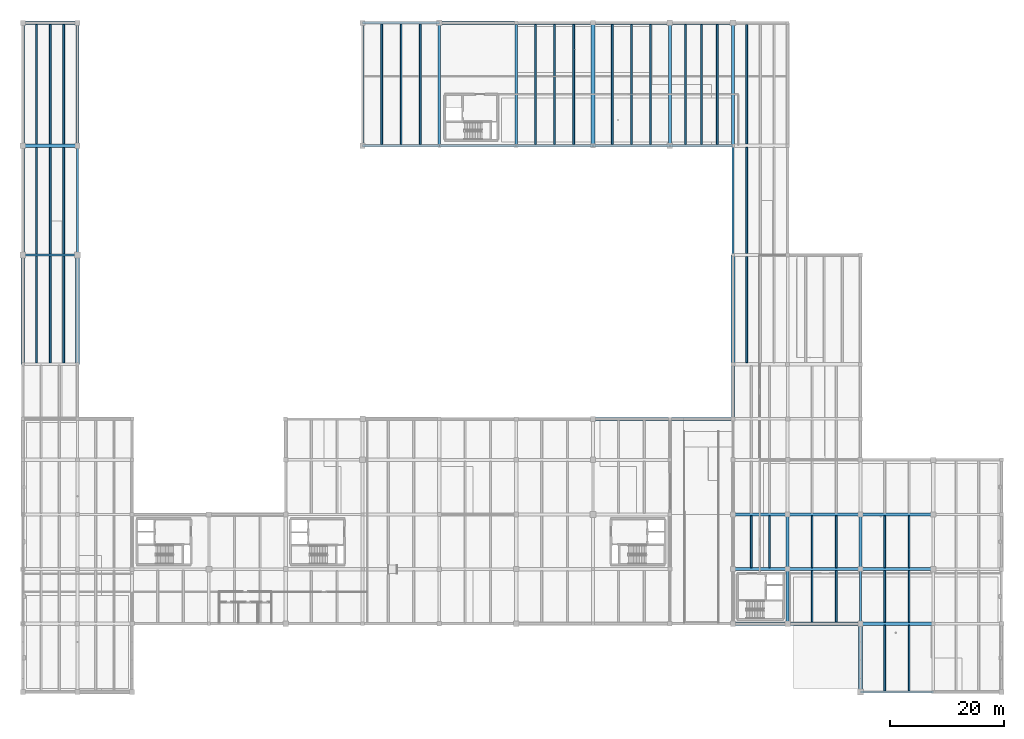
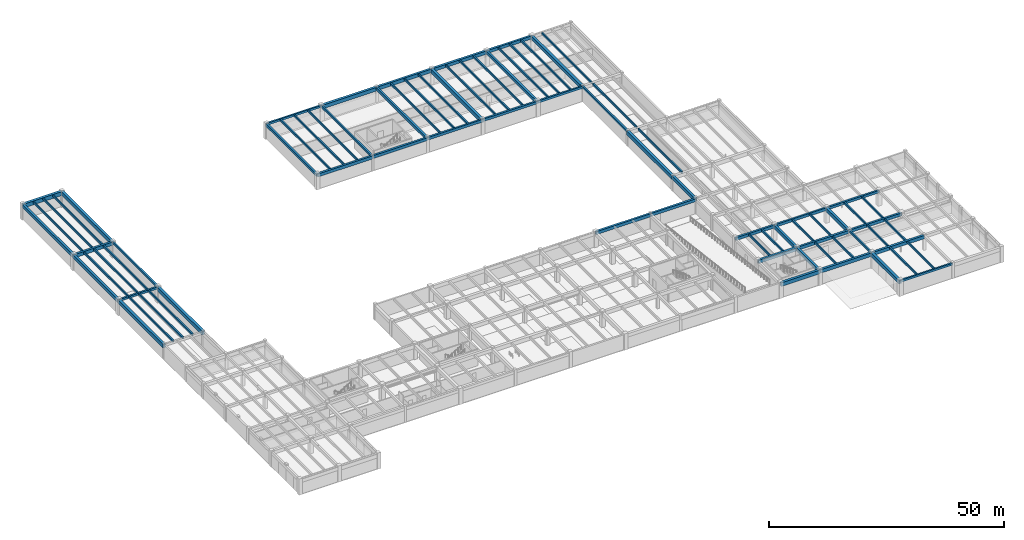
# One storey, part 5 of 28: 81 beams.
"""IFC4 building model written with IfcOpenShell, lengths in metres."""

from ifc_helpers import new_model, si_unit, direction, frame, origin, origin_2d, place, context, subcontext, project, spatial, rectangle, extrude, material, material_profile, profile_set, type_object, element, save


model = new_model("IFC4")

# Units and contexts
model_context = context("Model", 3, precision=1e-05, world=origin(), true_north=direction((0.0, 1.0)))
body_context = subcontext(model_context, "Body", "Model", "MODEL_VIEW")
ifc_project = project(units=[si_unit("LENGTHUNIT", "METRE"), si_unit("AREAUNIT", "SQUARE_METRE"), si_unit("VOLUMEUNIT", "CUBIC_METRE"), si_unit("PLANEANGLEUNIT", "RADIAN"), si_unit("MASSUNIT", "GRAM", prefix="KILO")], contexts=[model_context])

# Site, building, storey
site_placement = place(None, origin())
site = spatial("IfcSite", under=ifc_project, at=site_placement, CompositionType="ELEMENT")
building_placement = place(site_placement, origin())
building = spatial("IfcBuilding", under=site, at=building_placement, Name="Fikremerkos Civic Library", CompositionType="ELEMENT")
storey_placement = place(building_placement, frame((0.0, 0.0, -4.199951171875)))
storey = spatial("IfcBuildingStorey", under=building, at=storey_placement, Name="B01", CompositionType="ELEMENT", Elevation=-4.199951171875)

# Beams
ifc_material_1 = material(Name="Concrete C40/50", Category="concrete")
ifc_material_profile_1 = material_profile(ifc_material_1, rectangle(XDim=0.300048828125, YDim=0.52001953125, at=origin_2d()), Name="RC 300x520")
ifc_profile_set_1 = profile_set([ifc_material_profile_1], Name="Concrete C40/50")
beam_type_1 = type_object("IfcBeamType", Name="Floor joist JS-03 RC 300x520", PredefinedType="JOIST", material=ifc_profile_set_1)
for number, where, z_axis, x_axis, name in (
    (1, (2.39990234375, 57.800048828125, 3.659912109375), (0.0, 1.0, 0.0), (-1.0, 0.0, 0.0), "Floor joist JS-03 B01 #150"),
    (2, (4.800048828125, 57.800048828125, 3.659912109375), (0.0, 1.0, 0.0), (-1.0, 0.0, 0.0), "Floor joist JS-03 B01 #151"),
    (3, (7.199951171875, 57.800048828125, 3.659912109375), (0.0, 1.0, 0.0), (-1.0, 0.0, 0.0), "Floor joist JS-03 B01 #152"),
):
    element("IfcBeam", number, at=place(storey_placement, frame(where, z_axis=z_axis, x_axis=x_axis)), inside=storey, type_object=beam_type_1, Name=name, PredefinedType="JOIST", context=body_context, shape_type="SweptSolid", body=[
        extrude(rectangle(XDim=0.300048828125, YDim=0.52001953125, at=origin_2d()), origin(), (0.0, 0.0, 1.0), 18.800048828125),
    ])
for number, where, z_axis, x_axis, name in (
    (4, (2.39990234375, 77.0, 3.659912109375), (0.0, 1.0, 0.0), (-1.0, 0.0, 0.0), "Floor joist JS-03 B01 #153"),
    (5, (4.800048828125, 77.0, 3.659912109375), (0.0, 1.0, 0.0), (-1.0, 0.0, 0.0), "Floor joist JS-03 B01 #154"),
    (6, (7.199951171875, 77.0, 3.659912109375), (0.0, 1.0, 0.0), (-1.0, 0.0, 0.0), "Floor joist JS-03 B01 #155"),
):
    element("IfcBeam", number, at=place(storey_placement, frame(where, z_axis=z_axis, x_axis=x_axis)), inside=storey, type_object=beam_type_1, Name=name, PredefinedType="JOIST", context=body_context, shape_type="SweptSolid", body=[
        extrude(rectangle(XDim=0.300048828125, YDim=0.52001953125, at=origin_2d()), origin(), (0.0, 0.0, 1.0), 18.72509765625),
    ])
for number, where, z_axis, x_axis, name in (
    (7, (2.39990234375, 96.27490234375, 3.659912109375), (0.0, 1.0, 0.0), (-1.0, 0.0, 0.0), "Floor joist JS-03 B01 #156"),
    (8, (4.800048828125, 96.27490234375, 3.659912109375), (0.0, 1.0, 0.0), (-1.0, 0.0, 0.0), "Floor joist JS-03 B01 #157"),
    (9, (7.199951171875, 96.27490234375, 3.659912109375), (0.0, 1.0, 0.0), (-1.0, 0.0, 0.0), "Floor joist JS-03 B01 #158"),
):
    element("IfcBeam", number, at=place(storey_placement, frame(where, z_axis=z_axis, x_axis=x_axis)), inside=storey, type_object=beam_type_1, Name=name, PredefinedType="JOIST", context=body_context, shape_type="SweptSolid", body=[
        extrude(rectangle(XDim=0.300048828125, YDim=0.52001953125, at=origin_2d()), origin(), (0.0, 0.0, 1.0), 21.0),
    ])
for number, where, z_axis, x_axis, name in (
    (10, (63.074951171875, 96.25, 3.659912109375), (0.0, 1.0, 0.0), (-1.0, 0.0, 0.0), "Floor joist JS-03 B01 #189"),
    (11, (66.449951171875, 96.25, 3.659912109375), (0.0, 1.0, 0.0), (-1.0, 0.0, 0.0), "Floor joist JS-03 B01 #190"),
    (12, (69.824951171875, 96.25, 3.659912109375), (0.0, 1.0, 0.0), (-1.0, 0.0, 0.0), "Floor joist JS-03 B01 #191"),
):
    element("IfcBeam", number, at=place(storey_placement, frame(where, z_axis=z_axis, x_axis=x_axis)), inside=storey, type_object=beam_type_1, Name=name, PredefinedType="JOIST", context=body_context, shape_type="SweptSolid", body=[
        extrude(rectangle(XDim=0.300048828125, YDim=0.52001953125, at=origin_2d()), origin(), (0.0, 0.0, 1.0), 21.14990234375),
    ])
for number, where, z_axis, x_axis, name in (
    (13, (90.074951171875, 96.22509765625, 3.659912109375), (0.0, 1.0, 0.0), (-1.0, 0.0, 0.0), "Floor joist JS-03 B01 #208"),
    (14, (93.449951171875, 96.22509765625, 3.659912109375), (0.0, 1.0, 0.0), (-1.0, 0.0, 0.0), "Floor joist JS-03 B01 #209"),
    (15, (96.824951171875, 96.22509765625, 3.659912109375), (0.0, 1.0, 0.0), (-1.0, 0.0, 0.0), "Floor joist JS-03 B01 #210"),
    (16, (103.574951171875, 96.22509765625, 3.659912109375), (0.0, 1.0, 0.0), (-1.0, 0.0, 0.0), "Floor joist JS-03 B01 #217"),
    (17, (106.949951171875, 96.22509765625, 3.659912109375), (0.0, 1.0, 0.0), (-1.0, 0.0, 0.0), "Floor joist JS-03 B01 #218"),
    (18, (110.324951171875, 96.22509765625, 3.659912109375), (0.0, 1.0, 0.0), (-1.0, 0.0, 0.0), "Floor joist JS-03 B01 #219"),
):
    element("IfcBeam", number, at=place(storey_placement, frame(where, z_axis=z_axis, x_axis=x_axis)), inside=storey, type_object=beam_type_1, Name=name, PredefinedType="JOIST", context=body_context, shape_type="SweptSolid", body=[
        extrude(rectangle(XDim=0.300048828125, YDim=0.52001953125, at=origin_2d()), origin(), (0.0, 0.0, 1.0), 21.099853515625),
    ])
for number, where, z_axis, x_axis, name in (
    (19, (116.47509765625, 96.199951171875, 3.659912109375), (0.0, 1.0, 0.0), (-1.0, 0.0, 0.0), "Floor joist JS-03 B01 #220"),
    (20, (119.25, 96.199951171875, 3.659912109375), (0.0, 1.0, 0.0), (-1.0, 0.0, 0.0), "Floor joist JS-03 B01 #221"),
    (21, (122.02490234375, 96.199951171875, 3.659912109375), (0.0, 1.0, 0.0), (-1.0, 0.0, 0.0), "Floor joist JS-03 B01 #222"),
):
    element("IfcBeam", number, at=place(storey_placement, frame(where, z_axis=z_axis, x_axis=x_axis)), inside=storey, type_object=beam_type_1, Name=name, PredefinedType="JOIST", context=body_context, shape_type="SweptSolid", body=[
        extrude(rectangle(XDim=0.300048828125, YDim=0.52001953125, at=origin_2d()), origin(), (0.0, 0.0, 1.0), 21.150146484375),
    ])
for number, where, z_axis, x_axis, name in (
    (22, (128.0, 21.875, 3.619873046875), (0.0, 1.0, 0.0), (-1.0, 0.0, 0.0), "Floor joist JS-03 B01 #223"),
    (23, (131.199951171875, 21.875, 3.619873046875), (0.0, 1.0, 0.0), (-1.0, 0.0, 0.0), "Floor joist JS-03 B01 #224"),
):
    element("IfcBeam", number, at=place(storey_placement, frame(where, z_axis=z_axis, x_axis=x_axis)), inside=storey, type_object=beam_type_1, Name=name, PredefinedType="JOIST", context=body_context, shape_type="SweptSolid", body=[
        extrude(rectangle(XDim=0.300048828125, YDim=0.52001953125, at=origin_2d()), origin(), (0.0, 0.0, 1.0), 9.074951171875),
    ])
beam_1_placement = place(storey_placement, frame((127.199951171875, 57.89990234375, 3.659912109375), z_axis=(0.0, 1.0, 0.0), x_axis=(-1.0, 0.0, 0.0)))
element("IfcBeam", 24, at=beam_1_placement, inside=storey, type_object=beam_type_1, Name="Floor joist JS-03 B01 #231", PredefinedType="JOIST", context=body_context, shape_type="SweptSolid", body=[
    extrude(rectangle(XDim=0.300048828125, YDim=0.52001953125, at=origin_2d()), origin(), (0.0, 0.0, 1.0), 18.60009765625),
])
beam_2_placement = place(storey_placement, frame((127.199951171875, 77.10009765625, 3.679931640625), z_axis=(0.0, 1.0, 0.0), x_axis=(-1.0, 0.0, 0.0)))
element("IfcBeam", 25, at=beam_2_placement, inside=storey, type_object=beam_type_1, Name="Floor joist JS-03 B01 #234", PredefinedType="JOIST", context=body_context, shape_type="SweptSolid", body=[
    extrude(rectangle(XDim=0.300048828125, YDim=0.52001953125, at=origin_2d()), origin(), (0.0, 0.0, 1.0), 18.599853515625),
])
beam_3_placement = place(storey_placement, frame((127.199951171875, 96.300048828125, 3.659912109375), z_axis=(0.0, 1.0, 0.0), x_axis=(-1.0, 0.0, 0.0)))
element("IfcBeam", 26, at=beam_3_placement, inside=storey, type_object=beam_type_1, Name="Floor joist JS-03 B01 #237", PredefinedType="JOIST", context=body_context, shape_type="SweptSolid", body=[
    extrude(rectangle(XDim=0.300048828125, YDim=0.52001953125, at=origin_2d()), origin(), (0.0, 0.0, 1.0), 21.050048828125),
])
for number, where, z_axis, x_axis, name in (
    (27, (138.666748046875, 12.27490234375, 3.619873046875), (0.0, 1.0, 0.0), (-1.0, 0.0, 0.0), "Floor joist JS-03 B01 #240"),
    (28, (142.933349609375, 12.27490234375, 3.619873046875), (0.0, 1.0, 0.0), (-1.0, 0.0, 0.0), "Floor joist JS-03 B01 #241"),
):
    element("IfcBeam", number, at=place(storey_placement, frame(where, z_axis=z_axis, x_axis=x_axis)), inside=storey, type_object=beam_type_1, Name=name, PredefinedType="JOIST", context=body_context, shape_type="SweptSolid", body=[
        extrude(rectangle(XDim=0.300048828125, YDim=0.52001953125, at=origin_2d()), origin(), (0.0, 0.0, 1.0), 9.0751953125),
    ])
for number, where, z_axis, x_axis, name in (
    (29, (138.666748046875, 21.85009765625, 3.619873046875), (0.0, 1.0, 0.0), (-1.0, 0.0, 0.0), "Floor joist JS-03 B01 #242"),
    (30, (142.933349609375, 21.85009765625, 3.619873046875), (0.0, 1.0, 0.0), (-1.0, 0.0, 0.0), "Floor joist JS-03 B01 #243"),
):
    element("IfcBeam", number, at=place(storey_placement, frame(where, z_axis=z_axis, x_axis=x_axis)), inside=storey, type_object=beam_type_1, Name=name, PredefinedType="JOIST", context=body_context, shape_type="SweptSolid", body=[
        extrude(rectangle(XDim=0.300048828125, YDim=0.52001953125, at=origin_2d()), origin(), (0.0, 0.0, 1.0), 9.125),
    ])
for number, where, z_axis, x_axis, name in (
    (31, (151.466796875, 0.199951171875, 3.659912109375), (0.0, 1.0, 0.0), (-1.0, 0.0, 0.0), "Floor joist JS-03 B01 #253"),
    (32, (155.7333984375, 0.199951171875, 3.659912109375), (0.0, 1.0, 0.0), (-1.0, 0.0, 0.0), "Floor joist JS-03 B01 #254"),
):
    element("IfcBeam", number, at=place(storey_placement, frame(where, z_axis=z_axis, x_axis=x_axis)), inside=storey, type_object=beam_type_1, Name=name, PredefinedType="JOIST", context=body_context, shape_type="SweptSolid", body=[
        extrude(rectangle(XDim=0.300048828125, YDim=0.52001953125, at=origin_2d()), origin(), (0.0, 0.0, 1.0), 11.525146484375),
    ])
for number, where, z_axis, x_axis, name in (
    (33, (151.466796875, 12.27490234375, 3.619873046875), (0.0, 1.0, 0.0), (-1.0, 0.0, 0.0), "Floor joist JS-03 B01 #255"),
    (34, (155.7333984375, 12.27490234375, 3.619873046875), (0.0, 1.0, 0.0), (-1.0, 0.0, 0.0), "Floor joist JS-03 B01 #256"),
):
    element("IfcBeam", number, at=place(storey_placement, frame(where, z_axis=z_axis, x_axis=x_axis)), inside=storey, type_object=beam_type_1, Name=name, PredefinedType="JOIST", context=body_context, shape_type="SweptSolid", body=[
        extrude(rectangle(XDim=0.300048828125, YDim=0.52001953125, at=origin_2d()), origin(), (0.0, 0.0, 1.0), 9.0751953125),
    ])
for number, where, z_axis, x_axis, name in (
    (35, (151.466796875, 21.85009765625, 3.619873046875), (0.0, 1.0, 0.0), (-1.0, 0.0, 0.0), "Floor joist JS-03 B01 #257"),
    (36, (155.7333984375, 21.85009765625, 3.619873046875), (0.0, 1.0, 0.0), (-1.0, 0.0, 0.0), "Floor joist JS-03 B01 #258"),
):
    element("IfcBeam", number, at=place(storey_placement, frame(where, z_axis=z_axis, x_axis=x_axis)), inside=storey, type_object=beam_type_1, Name=name, PredefinedType="JOIST", context=body_context, shape_type="SweptSolid", body=[
        extrude(rectangle(XDim=0.300048828125, YDim=0.52001953125, at=origin_2d()), origin(), (0.0, 0.0, 1.0), 9.125),
    ])
ifc_material_profile_2 = material_profile(ifc_material_1, rectangle(XDim=0.60009765625, YDim=0.949951171875, at=origin_2d()), Name="RC 600x950")
ifc_profile_set_2 = profile_set([ifc_material_profile_2], Name="Concrete C40/50")
beam_type_2 = type_object("IfcBeamType", Name="Primary girder BM-01 RC 600x950", PredefinedType="BEAM", material=ifc_profile_set_2)
beam_4_placement = place(storey_placement, frame((124.800048828125, 12.0, 3.405029296875), z_axis=(1.0, 0.0, 0.0), x_axis=(0.0, 1.0, 0.0)))
element("IfcBeam", 37, at=beam_4_placement, inside=storey, type_object=beam_type_2, Name="Primary girder BM-01 B01 grid E", PredefinedType="BEAM", context=body_context, shape_type="SweptSolid", body=[
    extrude(rectangle(XDim=0.60009765625, YDim=0.949951171875, at=origin_2d()), origin(), (0.0, 0.0, 1.0), 9.599853515625),
])
beam_5_placement = place(storey_placement, frame((73.199951171875, 117.60009765625, 3.445068359375), z_axis=(1.0, 0.0, 0.0), x_axis=(0.0, 1.0, 0.0)))
element("IfcBeam", 38, at=beam_5_placement, inside=storey, type_object=beam_type_2, Name="Primary girder BM-01 B01 grid N", PredefinedType="BEAM", context=body_context, shape_type="SweptSolid", body=[
    extrude(rectangle(XDim=0.60009765625, YDim=0.949951171875, at=origin_2d()), origin(), (0.0, 0.0, 1.0), 13.5),
])
beam_6_placement = place(storey_placement, frame((0.0, 57.60009765625, 3.445068359375), z_axis=(0.0, 1.0, 0.0), x_axis=(-1.0, 0.0, 0.0)))
element("IfcBeam", 39, at=beam_6_placement, inside=storey, type_object=beam_type_2, Name="Primary girder BM-01 B01 grid 1", PredefinedType="BEAM", context=body_context, shape_type="SweptSolid", body=[
    extrude(rectangle(XDim=0.60009765625, YDim=0.949951171875, at=origin_2d()), origin(), (0.0, 0.0, 1.0), 19.199951171875),
])
for number, where, z_axis, x_axis, name in (
    (40, (9.60009765625, 96.0, 3.445068359375), (0.0, 1.0, 0.0), (-1.0, 0.0, 0.0), "Primary girder BM-01 B01 grid 2"),
    (41, (124.800048828125, 96.0, 3.445068359375), (0.0, 1.0, 0.0), (-1.0, 0.0, 0.0), "Primary girder BM-01 B01 grid 11"),
):
    element("IfcBeam", number, at=place(storey_placement, frame(where, z_axis=z_axis, x_axis=x_axis)), inside=storey, type_object=beam_type_2, Name=name, PredefinedType="BEAM", context=body_context, shape_type="SweptSolid", body=[
        extrude(rectangle(XDim=0.60009765625, YDim=0.949951171875, at=origin_2d()), origin(), (0.0, 0.0, 1.0), 21.60009765625),
    ])
beam_7_placement = place(storey_placement, frame((147.199951171875, 21.60009765625, 3.405029296875), z_axis=(0.0, 1.0, 0.0), x_axis=(-1.0, 0.0, 0.0)))
element("IfcBeam", 42, at=beam_7_placement, inside=storey, type_object=beam_type_2, Name="Primary girder BM-01 B01 grid 13", PredefinedType="BEAM", context=body_context, shape_type="SweptSolid", body=[
    extrude(rectangle(XDim=0.60009765625, YDim=0.949951171875, at=origin_2d()), origin(), (0.0, 0.0, 1.0), 9.599853515625),
])
ifc_material_profile_3 = material_profile(ifc_material_1, rectangle(XDim=0.550048828125, YDim=0.89990234375, at=origin_2d()), Name="RC 550x900")
ifc_profile_set_3 = profile_set([ifc_material_profile_3], Name="Concrete C40/50")
beam_type_3 = type_object("IfcBeamType", Name="Primary girder BM-02 RC 550x900", PredefinedType="BEAM", material=ifc_profile_set_3)
beam_8_placement = place(storey_placement, frame((134.39990234375, 12.0, 3.429931640625), z_axis=(1.0, 0.0, 0.0), x_axis=(0.0, 1.0, 0.0)))
element("IfcBeam", 43, at=beam_8_placement, inside=storey, type_object=beam_type_3, Name="Primary girder BM-02 B01 grid E", PredefinedType="BEAM", context=body_context, shape_type="SweptSolid", body=[
    extrude(rectangle(XDim=0.550048828125, YDim=0.89990234375, at=origin_2d()), origin(), (0.0, 0.0, 1.0), 12.800048828125),
])
beam_9_placement = place(storey_placement, frame((86.699951171875, 117.60009765625, 3.469970703125), z_axis=(1.0, 0.0, 0.0), x_axis=(0.0, 1.0, 0.0)))
element("IfcBeam", 44, at=beam_9_placement, inside=storey, type_object=beam_type_3, Name="Primary girder BM-02 B01 grid N", PredefinedType="BEAM", context=body_context, shape_type="SweptSolid", body=[
    extrude(rectangle(XDim=0.550048828125, YDim=0.89990234375, at=origin_2d()), origin(), (0.0, 0.0, 1.0), 13.5),
])
beam_10_placement = place(storey_placement, frame((0.0, 76.800048828125, 3.469970703125), z_axis=(0.0, 1.0, 0.0), x_axis=(-1.0, 0.0, 0.0)))
element("IfcBeam", 45, at=beam_10_placement, inside=storey, type_object=beam_type_3, Name="Primary girder BM-02 B01 grid 1", PredefinedType="BEAM", context=body_context, shape_type="SweptSolid", body=[
    extrude(rectangle(XDim=0.550048828125, YDim=0.89990234375, at=origin_2d()), origin(), (0.0, 0.0, 1.0), 19.199951171875),
])
beam_11_placement = place(storey_placement, frame((134.39990234375, 12.0, 3.429931640625), z_axis=(0.0, 1.0, 0.0), x_axis=(-1.0, 0.0, 0.0)))
element("IfcBeam", 46, at=beam_11_placement, inside=storey, type_object=beam_type_3, Name="Primary girder BM-02 B01 grid 12", PredefinedType="BEAM", context=body_context, shape_type="SweptSolid", body=[
    extrude(rectangle(XDim=0.550048828125, YDim=0.89990234375, at=origin_2d()), origin(), (0.0, 0.0, 1.0), 9.60009765625),
])
ifc_material_profile_4 = material_profile(ifc_material_1, rectangle(XDim=0.550048828125, YDim=0.85009765625, at=origin_2d()), Name="RC 550x850")
ifc_profile_set_4 = profile_set([ifc_material_profile_4], Name="Concrete C40/50")
beam_type_4 = type_object("IfcBeamType", Name="Primary girder BM-03 RC 550x850", PredefinedType="BEAM", material=ifc_profile_set_4)
beam_12_placement = place(storey_placement, frame((147.199951171875, 12.0, 3.454833984375), z_axis=(1.0, 0.0, 0.0), x_axis=(0.0, 1.0, 0.0)))
element("IfcBeam", 47, at=beam_12_placement, inside=storey, type_object=beam_type_4, Name="Primary girder BM-03 B01 grid E", PredefinedType="BEAM", context=body_context, shape_type="SweptSolid", body=[
    extrude(rectangle(XDim=0.550048828125, YDim=0.85009765625, at=origin_2d()), origin(), (0.0, 0.0, 1.0), 12.800048828125),
])
beam_13_placement = place(storey_placement, frame((124.800048828125, 21.60009765625, 3.454833984375), z_axis=(1.0, 0.0, 0.0), x_axis=(0.0, 1.0, 0.0)))
element("IfcBeam", 48, at=beam_13_placement, inside=storey, type_object=beam_type_4, Name="Primary girder BM-03 B01 grid F", PredefinedType="BEAM", context=body_context, shape_type="SweptSolid", body=[
    extrude(rectangle(XDim=0.550048828125, YDim=0.85009765625, at=origin_2d()), origin(), (0.0, 0.0, 1.0), 9.599853515625),
])
beam_14_placement = place(storey_placement, frame((0.0, 96.0, 3.494873046875), z_axis=(1.0, 0.0, 0.0), x_axis=(0.0, 1.0, 0.0)))
element("IfcBeam", 49, at=beam_14_placement, inside=storey, type_object=beam_type_4, Name="Primary girder BM-03 B01 grid M", PredefinedType="BEAM", context=body_context, shape_type="SweptSolid", body=[
    extrude(rectangle(XDim=0.550048828125, YDim=0.85009765625, at=origin_2d()), origin(), (0.0, 0.0, 1.0), 9.60009765625),
])
beam_15_placement = place(storey_placement, frame((100.199951171875, 117.60009765625, 3.494873046875), z_axis=(1.0, 0.0, 0.0), x_axis=(0.0, 1.0, 0.0)))
element("IfcBeam", 50, at=beam_15_placement, inside=storey, type_object=beam_type_4, Name="Primary girder BM-03 B01 grid N", PredefinedType="BEAM", context=body_context, shape_type="SweptSolid", body=[
    extrude(rectangle(XDim=0.550048828125, YDim=0.85009765625, at=origin_2d()), origin(), (0.0, 0.0, 1.0), 13.5),
])
beam_16_placement = place(storey_placement, frame((0.0, 96.0, 3.494873046875), z_axis=(0.0, 1.0, 0.0), x_axis=(-1.0, 0.0, 0.0)))
element("IfcBeam", 51, at=beam_16_placement, inside=storey, type_object=beam_type_4, Name="Primary girder BM-03 B01 grid 1", PredefinedType="BEAM", context=body_context, shape_type="SweptSolid", body=[
    extrude(rectangle(XDim=0.550048828125, YDim=0.85009765625, at=origin_2d()), origin(), (0.0, 0.0, 1.0), 21.60009765625),
])
beam_17_placement = place(storey_placement, frame((134.39990234375, 21.60009765625, 3.454833984375), z_axis=(0.0, 1.0, 0.0), x_axis=(-1.0, 0.0, 0.0)))
element("IfcBeam", 52, at=beam_17_placement, inside=storey, type_object=beam_type_4, Name="Primary girder BM-03 B01 grid 12", PredefinedType="BEAM", context=body_context, shape_type="SweptSolid", body=[
    extrude(rectangle(XDim=0.550048828125, YDim=0.85009765625, at=origin_2d()), origin(), (0.0, 0.0, 1.0), 9.599853515625),
])
ifc_material_profile_5 = material_profile(ifc_material_1, rectangle(XDim=0.5, YDim=0.800048828125, at=origin_2d()), Name="RC 500x800")
ifc_profile_set_5 = profile_set([ifc_material_profile_5], Name="Concrete C40/50")
beam_type_5 = type_object("IfcBeamType", Name="Primary girder BM-04 RC 500x800", PredefinedType="BEAM", material=ifc_profile_set_5)
beam_18_placement = place(storey_placement, frame((134.39990234375, 21.60009765625, 3.47998046875), z_axis=(1.0, 0.0, 0.0), x_axis=(0.0, 1.0, 0.0)))
element("IfcBeam", 53, at=beam_18_placement, inside=storey, type_object=beam_type_5, Name="Primary girder BM-04 B01 grid F", PredefinedType="BEAM", context=body_context, shape_type="SweptSolid", body=[
    extrude(rectangle(XDim=0.5, YDim=0.800048828125, at=origin_2d()), origin(), (0.0, 0.0, 1.0), 12.800048828125),
])
for number, where, z_axis, x_axis, name in (
    (54, (100.199951171875, 48.0, 3.47998046875), (1.0, 0.0, 0.0), (0.0, 1.0, 0.0), "Primary girder BM-04 B01 grid J"),
    (55, (59.699951171875, 96.0, 3.52001953125), (1.0, 0.0, 0.0), (0.0, 1.0, 0.0), "Primary girder BM-04 B01 grid M"),
):
    element("IfcBeam", number, at=place(storey_placement, frame(where, z_axis=z_axis, x_axis=x_axis)), inside=storey, type_object=beam_type_5, Name=name, PredefinedType="BEAM", context=body_context, shape_type="SweptSolid", body=[
        extrude(rectangle(XDim=0.5, YDim=0.800048828125, at=origin_2d()), origin(), (0.0, 0.0, 1.0), 13.5),
    ])
beam_19_placement = place(storey_placement, frame((113.699951171875, 117.60009765625, 3.52001953125), z_axis=(1.0, 0.0, 0.0), x_axis=(0.0, 1.0, 0.0)))
element("IfcBeam", 56, at=beam_19_placement, inside=storey, type_object=beam_type_5, Name="Primary girder BM-04 B01 grid N", PredefinedType="BEAM", context=body_context, shape_type="SweptSolid", body=[
    extrude(rectangle(XDim=0.5, YDim=0.800048828125, at=origin_2d()), origin(), (0.0, 0.0, 1.0), 11.10009765625),
])
beam_20_placement = place(storey_placement, frame((113.699951171875, 96.0, 3.52001953125), z_axis=(0.0, 1.0, 0.0), x_axis=(-1.0, 0.0, 0.0)))
element("IfcBeam", 57, at=beam_20_placement, inside=storey, type_object=beam_type_5, Name="Primary girder BM-04 B01 grid 10", PredefinedType="BEAM", context=body_context, shape_type="SweptSolid", body=[
    extrude(rectangle(XDim=0.5, YDim=0.800048828125, at=origin_2d()), origin(), (0.0, 0.0, 1.0), 21.60009765625),
])
ifc_material_profile_6 = material_profile(ifc_material_1, rectangle(XDim=0.5, YDim=0.75, at=origin_2d()), Name="RC 500x750")
ifc_profile_set_6 = profile_set([ifc_material_profile_6], Name="Concrete C40/50")
beam_type_6 = type_object("IfcBeamType", Name="Primary girder BM-05 RC 500x750", PredefinedType="BEAM", material=ifc_profile_set_6)
beam_21_placement = place(storey_placement, frame((147.199951171875, 21.60009765625, 3.5048828125), z_axis=(1.0, 0.0, 0.0), x_axis=(0.0, 1.0, 0.0)))
element("IfcBeam", 58, at=beam_21_placement, inside=storey, type_object=beam_type_6, Name="Primary girder BM-05 B01 grid F", PredefinedType="BEAM", context=body_context, shape_type="SweptSolid", body=[
    extrude(rectangle(XDim=0.5, YDim=0.75, at=origin_2d()), origin(), (0.0, 0.0, 1.0), 12.800048828125),
])
beam_22_placement = place(storey_placement, frame((124.800048828125, 31.199951171875, 3.5048828125), z_axis=(1.0, 0.0, 0.0), x_axis=(0.0, 1.0, 0.0)))
element("IfcBeam", 59, at=beam_22_placement, inside=storey, type_object=beam_type_6, Name="Primary girder BM-05 B01 grid G", PredefinedType="BEAM", context=body_context, shape_type="SweptSolid", body=[
    extrude(rectangle(XDim=0.5, YDim=0.75, at=origin_2d()), origin(), (0.0, 0.0, 1.0), 9.599853515625),
])
beam_23_placement = place(storey_placement, frame((113.699951171875, 48.0, 3.5048828125), z_axis=(1.0, 0.0, 0.0), x_axis=(0.0, 1.0, 0.0)))
element("IfcBeam", 60, at=beam_23_placement, inside=storey, type_object=beam_type_6, Name="Primary girder BM-05 B01 grid J", PredefinedType="BEAM", context=body_context, shape_type="SweptSolid", body=[
    extrude(rectangle(XDim=0.5, YDim=0.75, at=origin_2d()), origin(), (0.0, 0.0, 1.0), 11.10009765625),
])
beam_24_placement = place(storey_placement, frame((73.199951171875, 96.0, 3.544921875), z_axis=(1.0, 0.0, 0.0), x_axis=(0.0, 1.0, 0.0)))
element("IfcBeam", 61, at=beam_24_placement, inside=storey, type_object=beam_type_6, Name="Primary girder BM-05 B01 grid M", PredefinedType="BEAM", context=body_context, shape_type="SweptSolid", body=[
    extrude(rectangle(XDim=0.5, YDim=0.75, at=origin_2d()), origin(), (0.0, 0.0, 1.0), 13.5),
])
beam_25_placement = place(storey_placement, frame((86.699951171875, 96.0, 3.544921875), z_axis=(0.0, 1.0, 0.0), x_axis=(-1.0, 0.0, 0.0)))
element("IfcBeam", 62, at=beam_25_placement, inside=storey, type_object=beam_type_6, Name="Primary girder BM-05 B01 grid 8", PredefinedType="BEAM", context=body_context, shape_type="SweptSolid", body=[
    extrude(rectangle(XDim=0.5, YDim=0.75, at=origin_2d()), origin(), (0.0, 0.0, 1.0), 21.60009765625),
])
ifc_material_profile_7 = material_profile(ifc_material_1, rectangle(XDim=0.449951171875, YDim=0.699951171875, at=origin_2d()), Name="RC 450x700")
ifc_profile_set_7 = profile_set([ifc_material_profile_7], Name="Concrete C40/50")
beam_type_7 = type_object("IfcBeamType", Name="Primary girder BM-06 RC 450x700", PredefinedType="BEAM", material=ifc_profile_set_7)
beam_26_placement = place(storey_placement, frame((134.39990234375, 31.199951171875, 3.530029296875), z_axis=(1.0, 0.0, 0.0), x_axis=(0.0, 1.0, 0.0)))
element("IfcBeam", 63, at=beam_26_placement, inside=storey, type_object=beam_type_7, Name="Primary girder BM-06 B01 grid G", PredefinedType="BEAM", context=body_context, shape_type="SweptSolid", body=[
    extrude(rectangle(XDim=0.449951171875, YDim=0.699951171875, at=origin_2d()), origin(), (0.0, 0.0, 1.0), 12.800048828125),
])
beam_27_placement = place(storey_placement, frame((86.699951171875, 96.0, 3.570068359375), z_axis=(1.0, 0.0, 0.0), x_axis=(0.0, 1.0, 0.0)))
element("IfcBeam", 64, at=beam_27_placement, inside=storey, type_object=beam_type_7, Name="Primary girder BM-06 B01 grid M", PredefinedType="BEAM", context=body_context, shape_type="SweptSolid", body=[
    extrude(rectangle(XDim=0.449951171875, YDim=0.699951171875, at=origin_2d()), origin(), (0.0, 0.0, 1.0), 13.5),
])
beam_28_placement = place(storey_placement, frame((59.699951171875, 96.0, 3.570068359375), z_axis=(0.0, 1.0, 0.0), x_axis=(-1.0, 0.0, 0.0)))
element("IfcBeam", 65, at=beam_28_placement, inside=storey, type_object=beam_type_7, Name="Primary girder BM-06 B01 grid 6", PredefinedType="BEAM", context=body_context, shape_type="SweptSolid", body=[
    extrude(rectangle(XDim=0.449951171875, YDim=0.699951171875, at=origin_2d()), origin(), (0.0, 0.0, 1.0), 21.60009765625),
])
ifc_material_profile_8 = material_profile(ifc_material_1, rectangle(XDim=0.449951171875, YDim=0.64990234375, at=origin_2d()), Name="RC 450x650")
ifc_profile_set_8 = profile_set([ifc_material_profile_8], Name="Concrete C40/50")
beam_type_8 = type_object("IfcBeamType", Name="Primary girder BM-07 RC 450x650", PredefinedType="BEAM", material=ifc_profile_set_8)
beam_29_placement = place(storey_placement, frame((147.199951171875, 31.199951171875, 3.554931640625), z_axis=(1.0, 0.0, 0.0), x_axis=(0.0, 1.0, 0.0)))
element("IfcBeam", 66, at=beam_29_placement, inside=storey, type_object=beam_type_8, Name="Primary girder BM-07 B01 grid G", PredefinedType="BEAM", context=body_context, shape_type="SweptSolid", body=[
    extrude(rectangle(XDim=0.449951171875, YDim=0.64990234375, at=origin_2d()), origin(), (0.0, 0.0, 1.0), 12.800048828125),
])
beam_30_placement = place(storey_placement, frame((100.199951171875, 96.0, 3.594970703125), z_axis=(1.0, 0.0, 0.0), x_axis=(0.0, 1.0, 0.0)))
element("IfcBeam", 67, at=beam_30_placement, inside=storey, type_object=beam_type_8, Name="Primary girder BM-07 B01 grid M", PredefinedType="BEAM", context=body_context, shape_type="SweptSolid", body=[
    extrude(rectangle(XDim=0.449951171875, YDim=0.64990234375, at=origin_2d()), origin(), (0.0, 0.0, 1.0), 13.5),
])
ifc_material_profile_9 = material_profile(ifc_material_1, rectangle(XDim=0.39990234375, YDim=0.60009765625, at=origin_2d()), Name="RC 400x600")
ifc_profile_set_9 = profile_set([ifc_material_profile_9], Name="Concrete C40/50")
beam_type_9 = type_object("IfcBeamType", Name="Primary girder BM-08 RC 400x600", PredefinedType="BEAM", material=ifc_profile_set_9)
beam_31_placement = place(storey_placement, frame((113.699951171875, 96.0, 3.619873046875), z_axis=(1.0, 0.0, 0.0), x_axis=(0.0, 1.0, 0.0)))
element("IfcBeam", 68, at=beam_31_placement, inside=storey, type_object=beam_type_9, Name="Primary girder BM-08 B01 grid M", PredefinedType="BEAM", context=body_context, shape_type="SweptSolid", body=[
    extrude(rectangle(XDim=0.39990234375, YDim=0.60009765625, at=origin_2d()), origin(), (0.0, 0.0, 1.0), 11.10009765625),
])
ifc_material_profile_10 = material_profile(ifc_material_1, rectangle(XDim=0.60009765625, YDim=0.85009765625, at=origin_2d()), Name="RC 600x850")
ifc_profile_set_10 = profile_set([ifc_material_profile_10], Name="Concrete C40/50")
beam_type_10 = type_object("IfcBeamType", Name="Primary girder BM-24 RC 600x850", PredefinedType="BEAM", material=ifc_profile_set_10)
beam_32_placement = place(storey_placement, frame((124.800048828125, 48.0, 3.494873046875), z_axis=(0.0, 1.0, 0.0), x_axis=(-1.0, 0.0, 0.0)))
element("IfcBeam", 69, at=beam_32_placement, inside=storey, type_object=beam_type_10, Name="Primary girder BM-24 B01 grid 11", PredefinedType="BEAM", context=body_context, shape_type="SweptSolid", body=[
    extrude(rectangle(XDim=0.60009765625, YDim=0.85009765625, at=origin_2d()), origin(), (0.0, 0.0, 1.0), 9.60009765625),
])
ifc_material_2 = material(Name="Concrete C45/55", Category="concrete")
ifc_material_profile_11 = material_profile(ifc_material_2, rectangle(XDim=0.64990234375, YDim=1.0, at=origin_2d()), Name="RC 650x1000")
ifc_profile_set_11 = profile_set([ifc_material_profile_11], Name="Concrete C45/55")
beam_type_11 = type_object("IfcBeamType", Name="Primary girder BM-25 RC 650x1000", PredefinedType="BEAM", material=ifc_profile_set_11)
beam_33_placement = place(storey_placement, frame((0.0, 117.60009765625, 3.419921875), z_axis=(1.0, 0.0, 0.0), x_axis=(0.0, 1.0, 0.0)))
element("IfcBeam", 70, at=beam_33_placement, inside=storey, type_object=beam_type_11, Name="Primary girder BM-25 B01 grid N", PredefinedType="BEAM", context=body_context, shape_type="SweptSolid", body=[
    extrude(rectangle(XDim=0.64990234375, YDim=1.0, at=origin_2d()), origin(), (0.0, 0.0, 1.0), 9.60009765625),
])
beam_34_placement = place(storey_placement, frame((9.60009765625, 57.60009765625, 3.419921875), z_axis=(0.0, 1.0, 0.0), x_axis=(-1.0, 0.0, 0.0)))
element("IfcBeam", 71, at=beam_34_placement, inside=storey, type_object=beam_type_11, Name="Primary girder BM-25 B01 grid 2", PredefinedType="BEAM", context=body_context, shape_type="SweptSolid", body=[
    extrude(rectangle(XDim=0.64990234375, YDim=1.0, at=origin_2d()), origin(), (0.0, 0.0, 1.0), 19.199951171875),
])
beam_35_placement = place(storey_placement, frame((100.199951171875, 96.0, 3.419921875), z_axis=(0.0, 1.0, 0.0), x_axis=(-1.0, 0.0, 0.0)))
element("IfcBeam", 72, at=beam_35_placement, inside=storey, type_object=beam_type_11, Name="Primary girder BM-25 B01 grid 9", PredefinedType="BEAM", context=body_context, shape_type="SweptSolid", body=[
    extrude(rectangle(XDim=0.64990234375, YDim=1.0, at=origin_2d()), origin(), (0.0, 0.0, 1.0), 21.60009765625),
])
beam_36_placement = place(storey_placement, frame((124.800048828125, 57.60009765625, 3.419921875), z_axis=(0.0, 1.0, 0.0), x_axis=(-1.0, 0.0, 0.0)))
element("IfcBeam", 73, at=beam_36_placement, inside=storey, type_object=beam_type_11, Name="Primary girder BM-25 B01 grid 11", PredefinedType="BEAM", context=body_context, shape_type="SweptSolid", body=[
    extrude(rectangle(XDim=0.64990234375, YDim=1.0, at=origin_2d()), origin(), (0.0, 0.0, 1.0), 19.199951171875),
])
beam_37_placement = place(storey_placement, frame((147.199951171875, 0.0, 3.419921875), z_axis=(0.0, 1.0, 0.0), x_axis=(-1.0, 0.0, 0.0)))
element("IfcBeam", 74, at=beam_37_placement, inside=storey, type_object=beam_type_11, Name="Primary girder BM-25 B01 grid 13", PredefinedType="BEAM", context=body_context, shape_type="SweptSolid", body=[
    extrude(rectangle(XDim=0.64990234375, YDim=1.0, at=origin_2d()), origin(), (0.0, 0.0, 1.0), 12.0),
])
ifc_material_profile_12 = material_profile(ifc_material_1, rectangle(XDim=0.39990234375, YDim=0.550048828125, at=origin_2d()), Name="RC 400x550")
ifc_profile_set_12 = profile_set([ifc_material_profile_12], Name="Concrete C40/50")
beam_type_12 = type_object("IfcBeamType", Name="Primary girder BM-26 RC 400x550", PredefinedType="BEAM", material=ifc_profile_set_12)
beam_38_placement = place(storey_placement, frame((147.199951171875, 0.0, 3.64501953125), z_axis=(1.0, 0.0, 0.0), x_axis=(0.0, 1.0, 0.0)))
element("IfcBeam", 75, at=beam_38_placement, inside=storey, type_object=beam_type_12, Name="Primary girder BM-26 B01 grid A", PredefinedType="BEAM", context=body_context, shape_type="SweptSolid", body=[
    extrude(rectangle(XDim=0.39990234375, YDim=0.550048828125, at=origin_2d()), origin(), (0.0, 0.0, 1.0), 12.800048828125),
])
beam_39_placement = place(storey_placement, frame((0.0, 76.800048828125, 3.64501953125), z_axis=(1.0, 0.0, 0.0), x_axis=(0.0, 1.0, 0.0)))
element("IfcBeam", 76, at=beam_39_placement, inside=storey, type_object=beam_type_12, Name="Primary girder BM-26 B01 grid L", PredefinedType="BEAM", context=body_context, shape_type="SweptSolid", body=[
    extrude(rectangle(XDim=0.39990234375, YDim=0.550048828125, at=origin_2d()), origin(), (0.0, 0.0, 1.0), 9.60009765625),
])
beam_40_placement = place(storey_placement, frame((59.699951171875, 117.60009765625, 3.64501953125), z_axis=(1.0, 0.0, 0.0), x_axis=(0.0, 1.0, 0.0)))
element("IfcBeam", 77, at=beam_40_placement, inside=storey, type_object=beam_type_12, Name="Primary girder BM-26 B01 grid N", PredefinedType="BEAM", context=body_context, shape_type="SweptSolid", body=[
    extrude(rectangle(XDim=0.39990234375, YDim=0.550048828125, at=origin_2d()), origin(), (0.0, 0.0, 1.0), 13.5),
])
beam_41_placement = place(storey_placement, frame((9.60009765625, 76.800048828125, 3.64501953125), z_axis=(0.0, 1.0, 0.0), x_axis=(-1.0, 0.0, 0.0)))
element("IfcBeam", 78, at=beam_41_placement, inside=storey, type_object=beam_type_12, Name="Primary girder BM-26 B01 grid 2", PredefinedType="BEAM", context=body_context, shape_type="SweptSolid", body=[
    extrude(rectangle(XDim=0.39990234375, YDim=0.550048828125, at=origin_2d()), origin(), (0.0, 0.0, 1.0), 19.199951171875),
])
beam_42_placement = place(storey_placement, frame((73.199951171875, 96.0, 3.64501953125), z_axis=(0.0, 1.0, 0.0), x_axis=(-1.0, 0.0, 0.0)))
element("IfcBeam", 79, at=beam_42_placement, inside=storey, type_object=beam_type_12, Name="Primary girder BM-26 B01 grid 7", PredefinedType="BEAM", context=body_context, shape_type="SweptSolid", body=[
    extrude(rectangle(XDim=0.39990234375, YDim=0.550048828125, at=origin_2d()), origin(), (0.0, 0.0, 1.0), 21.60009765625),
])
beam_43_placement = place(storey_placement, frame((124.800048828125, 76.800048828125, 3.6650390625), z_axis=(0.0, 1.0, 0.0), x_axis=(-1.0, 0.0, 0.0)))
element("IfcBeam", 80, at=beam_43_placement, inside=storey, type_object=beam_type_12, Name="Primary girder BM-26 B01 grid 11", PredefinedType="BEAM", context=body_context, shape_type="SweptSolid", body=[
    extrude(rectangle(XDim=0.39990234375, YDim=0.550048828125, at=origin_2d()), origin(), (0.0, 0.0, 1.0), 19.199951171875),
])
beam_44_placement = place(storey_placement, frame((147.199951171875, 12.0, 3.60498046875), z_axis=(0.0, 1.0, 0.0), x_axis=(-1.0, 0.0, 0.0)))
element("IfcBeam", 81, at=beam_44_placement, inside=storey, type_object=beam_type_12, Name="Primary girder BM-26 B01 grid 13", PredefinedType="BEAM", context=body_context, shape_type="SweptSolid", body=[
    extrude(rectangle(XDim=0.39990234375, YDim=0.550048828125, at=origin_2d()), origin(), (0.0, 0.0, 1.0), 9.60009765625),
])

save(model, "model.ifc")
